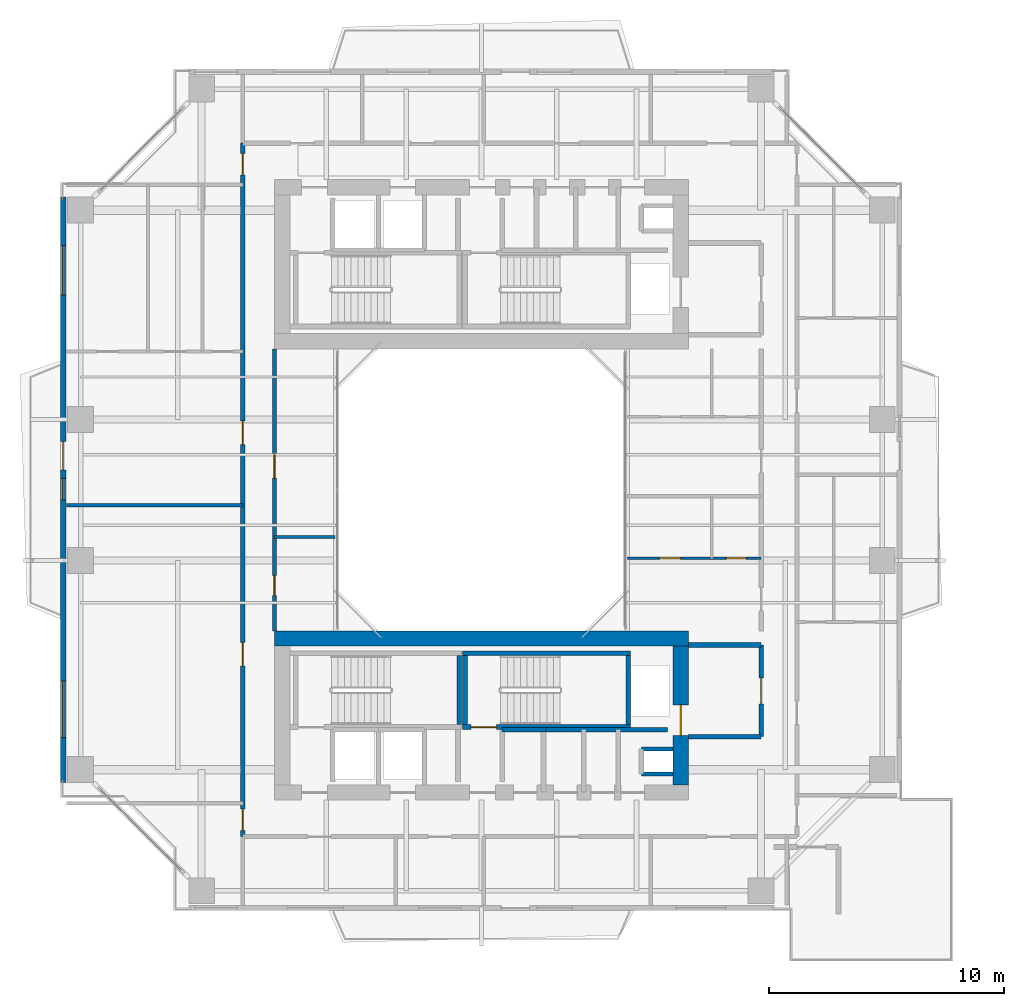
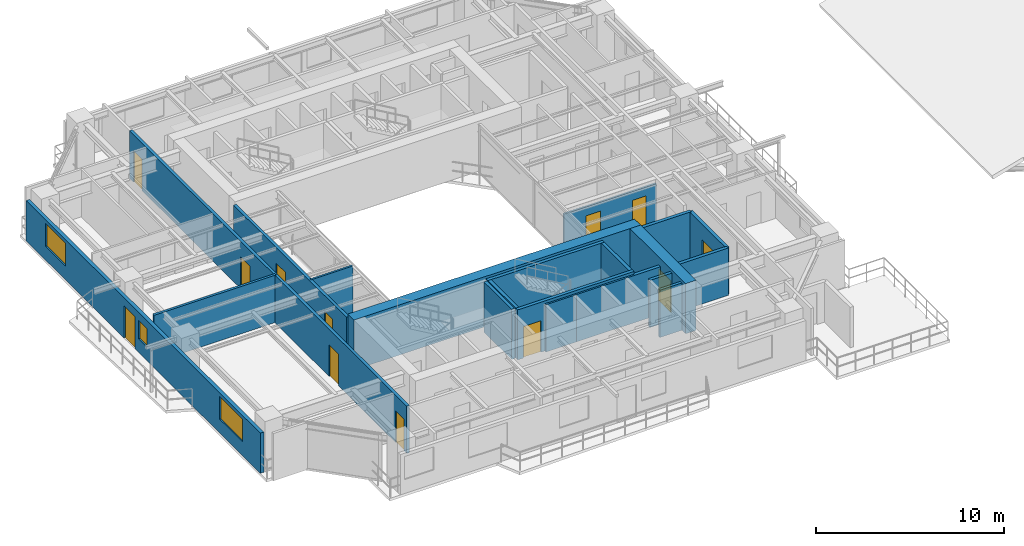
# One storey, part 22 of 28: 20 walls, 12 doors, 3 windows, 15 openings.
"""IFC4 building model written with IfcOpenShell, lengths in metres."""

from ifc_helpers import new_model, si_unit, direction, frame, frame_2d, origin, place, context, subcontext, project, spatial, rectangle, extrude, source, transform, mapped, material, layer, layer_set, type_object, element, fill, save


model = new_model("IFC4")

# Units and contexts
model_context = context("Model", 3, precision=1e-05, world=origin(), true_north=direction((0.0, 1.0)))
body_context = subcontext(model_context, "Body", "Model", "MODEL_VIEW")
ifc_project = project(units=[si_unit("LENGTHUNIT", "METRE"), si_unit("AREAUNIT", "SQUARE_METRE"), si_unit("VOLUMEUNIT", "CUBIC_METRE"), si_unit("PLANEANGLEUNIT", "RADIAN"), si_unit("MASSUNIT", "GRAM", prefix="KILO"), si_unit("THERMODYNAMICTEMPERATUREUNIT", "KELVIN"), si_unit("POWERUNIT", "WATT")], contexts=[model_context])

# Site, building, storey
site_placement = place(None, origin())
site = spatial("IfcSite", under=ifc_project, at=site_placement, CompositionType="ELEMENT")
building_placement = place(site_placement, origin())
building = spatial("IfcBuilding", under=site, at=building_placement, Name="Qiaomeng Ring Towers", CompositionType="ELEMENT")
storey_placement = place(building_placement, frame((0.0, 0.0, 113.25)))
storey = spatial("IfcBuildingStorey", under=building, at=storey_placement, Name="L32", CompositionType="ELEMENT", Elevation=113.25)

# Wall, openings, windows, door
ifc_material_1 = material(Name="Precast concrete C40", Category="concrete")
ifc_layer_1 = layer(ifc_material_1, 0.219970703125, Name="Precast concrete C40")
ifc_layer_set_1 = layer_set([ifc_layer_1], Name="Precast concrete C40")
wall_type_1 = type_object("IfcWallType", Name="ARC-WL-EW2", PredefinedType="STANDARD", material=ifc_layer_set_1)
wall_1_placement = place(storey_placement, frame((1.2099609375, 10.550048828125, 0.0), z_axis=(0.0, 0.0, 1.0), x_axis=(0.0, 1.0, 0.0)))
wall_1 = element("IfcWall", 1, at=wall_1_placement, inside=storey, type_object=wall_type_1, Name="L32 Tower 1 W Exterior Wall", PredefinedType="STANDARD", context=body_context, shape_type="SweptSolid", body=[
    extrude(rectangle(XDim=24.89990234375, YDim=0.219970703125, at=frame_2d((12.449951171875, 0.0))), origin(), (0.0, 0.0, 1.0), 2.610107421875),
])
opening_1_placement = place(wall_1_placement, frame((13.300048828125, 0.0, 0.0)))
opening_1 = element("IfcOpeningElement", 2, at=opening_1_placement, cuts=wall_1, Name="Opening BD1", PredefinedType="OPENING", context=body_context, shape_type="SweptSolid", body=[
    extrude(rectangle(XDim=1.199951171875, YDim=2.10009765625, at=frame_2d((0.60009765625, 1.050048828125))), frame((0.0, 0.119873046875, 0.0), z_axis=(0.0, -1.0, 0.0), x_axis=(1.0, 0.0, 0.0)), (0.0, 0.0, 1.0), 0.239990234375),
])
opening_2_placement = place(wall_1_placement, frame((1.912109375, 0.0, 0.89990234375)))
opening_2 = element("IfcOpeningElement", 3, at=opening_2_placement, cuts=wall_1, Name="Opening WN6", PredefinedType="OPENING", context=body_context, shape_type="SweptSolid", body=[
    extrude(rectangle(XDim=2.39990234375, YDim=1.47998046875, at=frame_2d((1.199951171875, 0.739990234375))), frame((0.0, 0.119873046875, 0.0), z_axis=(0.0, -1.0, 0.0), x_axis=(1.0, 0.0, 0.0)), (0.0, 0.0, 1.0), 0.239990234375),
])
opening_3_placement = place(wall_1_placement, frame((20.737060546875, 0.0, 0.89990234375)))
opening_3 = element("IfcOpeningElement", 4, at=opening_3_placement, cuts=wall_1, Name="Opening WN4", PredefinedType="OPENING", context=body_context, shape_type="SweptSolid", body=[
    extrude(rectangle(XDim=2.10009765625, YDim=1.47998046875, at=frame_2d((1.050048828125, 0.739990234375))), frame((0.0, 0.119873046875, 0.0), z_axis=(0.0, -1.0, 0.0), x_axis=(1.0, 0.0, 0.0)), (0.0, 0.0, 1.0), 0.239990234375),
])
opening_4_placement = place(wall_1_placement, frame((12.02490234375, 0.0, 0.89990234375)))
opening_4 = element("IfcOpeningElement", 5, at=opening_4_placement, cuts=wall_1, Name="Opening WN5", PredefinedType="OPENING", context=body_context, shape_type="SweptSolid", body=[
    extrude(rectangle(XDim=0.89990234375, YDim=1.199951171875, at=frame_2d((0.449951171875, 0.60009765625))), frame((0.0, 0.119873046875, 0.0), z_axis=(0.0, -1.0, 0.0), x_axis=(1.0, 0.0, 0.0)), (0.0, 0.0, 1.0), 0.239990234375),
])
ifc_material_2 = material(Name="Low-E dark-grey laminated double glazing", Category="glass")
window_type_1 = type_object("IfcWindowType", Name="ARC-WN-4", PartitioningType="TRIPLE_PANEL_VERTICAL", PredefinedType="WINDOW", material=ifc_material_2)
shared_shape_1 = source(origin(), body_context, "Body", "SweptSolid", [
    extrude(rectangle(XDim=2.10009765625, YDim=1.47998046875, at=frame_2d((1.050048828125, 0.739990234375))), frame((0.0, 0.030029296875, 0.0), z_axis=(0.0, -1.0, 0.0), x_axis=(1.0, 0.0, 0.0)), (0.0, 0.0, 1.0), 0.06005859375),
])
window_1_placement = place(opening_3_placement, origin())
window_1 = element("IfcWindow", 6, at=window_1_placement, inside=storey, type_object=window_type_1, Name="L32 Exterior Window WN4", OverallHeight=1.47998046875, OverallWidth=2.10009765625, PartitioningType="TRIPLE_PANEL_VERTICAL", PredefinedType="WINDOW", context=body_context, shape_type="MappedRepresentation", body=[
    mapped(shared_shape_1, transform((0.0, 0.0, 0.0), x_axis=(1.0, 0.0, 0.0), y_axis=(0.0, 1.0, 0.0), z_axis=(0.0, 0.0, 1.0), scale=1.0)),
])
fill(opening_3, window_1)
window_type_2 = type_object("IfcWindowType", Name="ARC-WN-6", PartitioningType="TRIPLE_PANEL_VERTICAL", PredefinedType="WINDOW", material=ifc_material_2)
shared_shape_2 = source(origin(), body_context, "Body", "SweptSolid", [
    extrude(rectangle(XDim=2.39990234375, YDim=1.47998046875, at=frame_2d((1.199951171875, 0.739990234375))), frame((0.0, 0.030029296875, 0.0), z_axis=(0.0, -1.0, 0.0), x_axis=(1.0, 0.0, 0.0)), (0.0, 0.0, 1.0), 0.06005859375),
])
window_2_placement = place(opening_2_placement, origin())
window_2 = element("IfcWindow", 7, at=window_2_placement, inside=storey, type_object=window_type_2, Name="L32 Exterior Window WN6", OverallHeight=1.47998046875, OverallWidth=2.39990234375, PartitioningType="TRIPLE_PANEL_VERTICAL", PredefinedType="WINDOW", context=body_context, shape_type="MappedRepresentation", body=[
    mapped(shared_shape_2, transform((0.0, 0.0, 0.0), x_axis=(1.0, 0.0, 0.0), y_axis=(0.0, 1.0, 0.0), z_axis=(0.0, 0.0, 1.0), scale=1.0)),
])
fill(opening_2, window_2)
door_type_1 = type_object("IfcDoorType", Name="ARC-DR-BD1", OperationType="NOTDEFINED", PredefinedType="DOOR", material=ifc_material_2)
shared_shape_3 = source(origin(), body_context, "Body", "SweptSolid", [
    extrude(rectangle(XDim=1.199951171875, YDim=2.10009765625, at=frame_2d((0.60009765625, 1.050048828125))), frame((0.0, 0.02490234375, 0.0), z_axis=(0.0, -1.0, 0.0), x_axis=(1.0, 0.0, 0.0)), (0.0, 0.0, 1.0), 0.050048828125),
])
door_1_placement = place(opening_1_placement, frame((1.199951171875, 0.0, 0.0), z_axis=(0.0, 0.0, 1.0), x_axis=(-1.0, 0.0, 0.0)))
door_1 = element("IfcDoor", 8, at=door_1_placement, inside=storey, type_object=door_type_1, Name="L32 W Balcony Glazed Door", OperationType="SINGLE_SWING_LEFT", OverallHeight=2.10009765625, OverallWidth=1.199951171875, PredefinedType="DOOR", context=body_context, shape_type="MappedRepresentation", body=[
    mapped(shared_shape_3, transform((0.0, 0.0, 0.0), x_axis=(1.0, 0.0, 0.0), y_axis=(0.0, 1.0, 0.0), z_axis=(0.0, 0.0, 1.0), scale=1.0)),
])
fill(opening_1, door_1)
window_type_3 = type_object("IfcWindowType", Name="ARC-WN-5", PartitioningType="SINGLE_PANEL", PredefinedType="WINDOW", material=ifc_material_2)
shared_shape_4 = source(origin(), body_context, "Body", "SweptSolid", [
    extrude(rectangle(XDim=0.89990234375, YDim=1.199951171875, at=frame_2d((0.449951171875, 0.60009765625))), frame((0.0, 0.030029296875, 0.0), z_axis=(0.0, -1.0, 0.0), x_axis=(1.0, 0.0, 0.0)), (0.0, 0.0, 1.0), 0.06005859375),
])
window_3_placement = place(opening_4_placement, origin())
window_3 = element("IfcWindow", 9, at=window_3_placement, inside=storey, type_object=window_type_3, Name="L32 Exterior Window WN5", OverallHeight=1.199951171875, OverallWidth=0.89990234375, PartitioningType="SINGLE_PANEL", PredefinedType="WINDOW", context=body_context, shape_type="MappedRepresentation", body=[
    mapped(shared_shape_4, transform((0.0, 0.0, 0.0), x_axis=(1.0, 0.0, 0.0), y_axis=(0.0, 1.0, 0.0), z_axis=(0.0, 0.0, 1.0), scale=1.0)),
])
fill(opening_4, window_3)

# Walls
ifc_material_3 = material(Name="Autoclaved aerated concrete block", Category="concrete")
ifc_layer_2 = layer(ifc_material_3, 0.199951171875, Name="Autoclaved aerated concrete block")
ifc_layer_set_2 = layer_set([ifc_layer_2], Name="Autoclaved aerated concrete block")
wall_type_2 = type_object("IfcWallType", Name="ARC-WL-PW1", PredefinedType="PARTITIONING", material=ifc_layer_set_2)
for number, where, z_axis, x_axis, name in (
    (10, (27.800048828125, 16.39990234375, 0.0), (0.0, 0.0, 1.0), (1.0, 0.0, 0.0), "L32 Interior Wall PW1"),
    (11, (27.800048828125, 12.5, 0.0), (0.0, 0.0, 1.0), (1.0, 0.0, 0.0), "L32 Interior Wall PW1"),
):
    element("IfcWall", number, at=place(storey_placement, frame(where, z_axis=z_axis, x_axis=x_axis)), inside=storey, type_object=wall_type_2, Name=name, PredefinedType="PARTITIONING", context=body_context, shape_type="SweptSolid", body=[
        extrude(rectangle(XDim=3.099853515625, YDim=0.199951171875, at=frame_2d((1.5498046875, 0.0))), origin(), (0.0, 0.0, 1.0), 3.070068359375),
    ])

# Wall, opening, door
wall_2_placement = place(storey_placement, frame((30.89990234375, 12.5, 0.0), z_axis=(0.0, 0.0, 1.0), x_axis=(0.0, 1.0, 0.0)))
wall_2 = element("IfcWall", 12, at=wall_2_placement, inside=storey, type_object=wall_type_2, Name="L32 Interior Wall PW1", PredefinedType="PARTITIONING", context=body_context, shape_type="SweptSolid", body=[
    extrude(rectangle(XDim=3.89990234375, YDim=0.199951171875, at=frame_2d((1.949951171875, 0.0))), origin(), (0.0, 0.0, 1.0), 3.070068359375),
])
opening_5_placement = place(wall_2_placement, frame((1.39990234375, 0.0, 0.0)))
opening_5 = element("IfcOpeningElement", 13, at=opening_5_placement, cuts=wall_2, Name="Opening FD3", PredefinedType="OPENING", context=body_context, shape_type="SweptSolid", body=[
    extrude(rectangle(XDim=1.10009765625, YDim=2.050048828125, at=frame_2d((0.550048828125, 1.02490234375))), frame((0.0, 0.10986328125, 0.0), z_axis=(0.0, -1.0, 0.0), x_axis=(1.0, 0.0, 0.0)), (0.0, 0.0, 1.0), 0.219970703125),
])
ifc_material_4 = material(Name="Galvanised steel", Category="steel")
door_type_2 = type_object("IfcDoorType", Name="ARC-DR-FD3", OperationType="NOTDEFINED", PredefinedType="DOOR", material=ifc_material_4)
shared_shape_5 = source(origin(), body_context, "Body", "SweptSolid", [
    extrude(rectangle(XDim=1.10009765625, YDim=2.050048828125, at=frame_2d((0.550048828125, 1.02490234375))), frame((0.0, 0.02490234375, 0.0), z_axis=(0.0, -1.0, 0.0), x_axis=(1.0, 0.0, 0.0)), (0.0, 0.0, 1.0), 0.050048828125),
])
door_2_placement = place(opening_5_placement, origin())
door_2 = element("IfcDoor", 14, at=door_2_placement, inside=storey, type_object=door_type_2, Name="L32 South FF Lobby Door", OperationType="SINGLE_SWING_LEFT", OverallHeight=2.050048828125, OverallWidth=1.10009765625, PredefinedType="DOOR", context=body_context, shape_type="MappedRepresentation", body=[
    mapped(shared_shape_5, transform((0.0, 0.0, 0.0), x_axis=(1.0, 0.0, 0.0), y_axis=(0.0, 1.0, 0.0), z_axis=(0.0, 0.0, 1.0), scale=1.0)),
])
fill(opening_5, door_2)

# Walls
wall_3_placement = place(storey_placement, frame((19.8798828125, 12.800048828125, 0.0), z_axis=(0.0, 0.0, 1.0), x_axis=(1.0, 0.0, 0.0)))
element("IfcWall", 15, at=wall_3_placement, inside=storey, type_object=wall_type_2, Name="L32 Interior Wall PW1", PredefinedType="PARTITIONING", context=body_context, shape_type="SweptSolid", body=[
    extrude(rectangle(XDim=1.8701171875, YDim=0.199951171875, at=frame_2d((0.93505859375, 0.0))), origin(), (0.0, 0.0, 1.0), 3.070068359375),
])
wall_4_placement = place(storey_placement, frame((21.75, 12.800048828125, 0.0), z_axis=(0.0, 0.0, 1.0), x_axis=(1.0, 0.0, 0.0)))
element("IfcWall", 16, at=wall_4_placement, inside=storey, type_object=wall_type_2, Name="L32 Interior Wall PW1", PredefinedType="PARTITIONING", context=body_context, shape_type="SweptSolid", body=[
    extrude(rectangle(XDim=5.169921875, YDim=0.199951171875, at=frame_2d((2.5849609375, 0.0))), origin(), (0.0, 0.0, 1.0), 3.070068359375),
])

# Wall, openings, doors
ifc_layer_3 = layer(ifc_material_3, 0.179931640625, Name="Autoclaved aerated concrete block")
ifc_layer_set_3 = layer_set([ifc_layer_3], Name="Autoclaved aerated concrete block")
wall_type_3 = type_object("IfcWallType", Name="ARC-WL-PW2", PredefinedType="PARTITIONING", material=ifc_layer_set_3)
wall_5_placement = place(storey_placement, frame((8.85009765625, 8.25, 0.0), z_axis=(0.0, 0.0, 1.0), x_axis=(0.0, 1.0, 0.0)))
wall_5 = element("IfcWall", 17, at=wall_5_placement, inside=storey, type_object=wall_type_3, Name="L32 Interior Wall PW2", PredefinedType="PARTITIONING", context=body_context, shape_type="SweptSolid", body=[
    extrude(rectangle(XDim=29.5, YDim=0.179931640625, at=frame_2d((14.75, 0.0))), origin(), (0.0, 0.0, 1.0), 3.070068359375),
])
opening_6_placement = place(wall_5_placement, frame((28.155029296875, 0.0, 0.0)))
opening_6 = element("IfcOpeningElement", 18, at=opening_6_placement, cuts=wall_5, Name="Opening ID1", PredefinedType="OPENING", context=body_context, shape_type="SweptSolid", body=[
    extrude(rectangle(XDim=0.89990234375, YDim=2.050048828125, at=frame_2d((0.449951171875, 1.02490234375))), frame((0.0, 0.099853515625, 0.0), z_axis=(0.0, -1.0, 0.0), x_axis=(1.0, 0.0, 0.0)), (0.0, 0.0, 1.0), 0.199951171875),
])
opening_7_placement = place(wall_5_placement, frame((0.27001953125, 0.0, 0.0)))
opening_7 = element("IfcOpeningElement", 19, at=opening_7_placement, cuts=wall_5, Name="Opening ID1", PredefinedType="OPENING", context=body_context, shape_type="SweptSolid", body=[
    extrude(rectangle(XDim=0.89990234375, YDim=2.050048828125, at=frame_2d((0.449951171875, 1.02490234375))), frame((0.0, 0.099853515625, 0.0), z_axis=(0.0, -1.0, 0.0), x_axis=(1.0, 0.0, 0.0)), (0.0, 0.0, 1.0), 0.199951171875),
])
opening_8_placement = place(wall_5_placement, frame((7.2548828125, 0.0, 0.0)))
opening_8 = element("IfcOpeningElement", 20, at=opening_8_placement, cuts=wall_5, Name="Opening FD4", PredefinedType="OPENING", context=body_context, shape_type="SweptSolid", body=[
    extrude(rectangle(XDim=1.0, YDim=2.050048828125, at=frame_2d((0.5, 1.02490234375))), frame((0.0, 0.099853515625, 0.0), z_axis=(0.0, -1.0, 0.0), x_axis=(1.0, 0.0, 0.0)), (0.0, 0.0, 1.0), 0.199951171875),
])
opening_9_placement = place(wall_5_placement, frame((16.675048828125, 0.0, 0.0)))
opening_9 = element("IfcOpeningElement", 21, at=opening_9_placement, cuts=wall_5, Name="Opening FD4", PredefinedType="OPENING", context=body_context, shape_type="SweptSolid", body=[
    extrude(rectangle(XDim=1.0, YDim=2.050048828125, at=frame_2d((0.5, 1.02490234375))), frame((0.0, 0.099853515625, 0.0), z_axis=(0.0, -1.0, 0.0), x_axis=(1.0, 0.0, 0.0)), (0.0, 0.0, 1.0), 0.199951171875),
])
ifc_material_5 = material(Name="Engineered fire-rated oak timber", Category="wood")
door_type_3 = type_object("IfcDoorType", Name="ARC-DR-FD4", OperationType="NOTDEFINED", PredefinedType="DOOR", material=ifc_material_5)
shared_shape_6 = source(origin(), body_context, "Body", "SweptSolid", [
    extrude(rectangle(XDim=1.0, YDim=2.050048828125, at=frame_2d((0.5, 1.02490234375))), frame((0.0, 0.02490234375, 0.0), z_axis=(0.0, -1.0, 0.0), x_axis=(1.0, 0.0, 0.0)), (0.0, 0.0, 1.0), 0.050048828125),
])
door_3_placement = place(opening_8_placement, origin())
door_3 = element("IfcDoor", 22, at=door_3_placement, inside=storey, type_object=door_type_3, Name="L32 Door FD4", OperationType="SINGLE_SWING_RIGHT", OverallHeight=2.050048828125, OverallWidth=1.0, PredefinedType="DOOR", context=body_context, shape_type="MappedRepresentation", body=[
    mapped(shared_shape_6, transform((0.0, 0.0, 0.0), x_axis=(1.0, 0.0, 0.0), y_axis=(0.0, 1.0, 0.0), z_axis=(0.0, 0.0, 1.0), scale=1.0)),
])
fill(opening_8, door_3)
door_4_placement = place(opening_9_placement, origin())
door_4 = element("IfcDoor", 23, at=door_4_placement, inside=storey, type_object=door_type_3, Name="L32 Door FD4", OperationType="SINGLE_SWING_RIGHT", OverallHeight=2.050048828125, OverallWidth=1.0, PredefinedType="DOOR", context=body_context, shape_type="MappedRepresentation", body=[
    mapped(shared_shape_6, transform((0.0, 0.0, 0.0), x_axis=(1.0, 0.0, 0.0), y_axis=(0.0, 1.0, 0.0), z_axis=(0.0, 0.0, 1.0), scale=1.0)),
])
fill(opening_9, door_4)
ifc_material_6 = material(Name="Engineered oak timber", Category="wood")
door_type_4 = type_object("IfcDoorType", Name="ARC-DR-ID1", OperationType="NOTDEFINED", PredefinedType="DOOR", material=ifc_material_6)
shared_shape_7 = source(origin(), body_context, "Body", "SweptSolid", [
    extrude(rectangle(XDim=0.89990234375, YDim=2.050048828125, at=frame_2d((0.449951171875, 1.02490234375))), frame((0.0, 0.02490234375, 0.0), z_axis=(0.0, -1.0, 0.0), x_axis=(1.0, 0.0, 0.0)), (0.0, 0.0, 1.0), 0.050048828125),
])
door_5_placement = place(opening_6_placement, origin())
door_5 = element("IfcDoor", 24, at=door_5_placement, inside=storey, type_object=door_type_4, Name="L32 Door ID1", OperationType="SINGLE_SWING_RIGHT", OverallHeight=2.050048828125, OverallWidth=0.89990234375, PredefinedType="DOOR", context=body_context, shape_type="MappedRepresentation", body=[
    mapped(shared_shape_7, transform((0.0, 0.0, 0.0), x_axis=(1.0, 0.0, 0.0), y_axis=(0.0, 1.0, 0.0), z_axis=(0.0, 0.0, 1.0), scale=1.0)),
])
fill(opening_6, door_5)
door_6_placement = place(opening_7_placement, origin())
door_6 = element("IfcDoor", 25, at=door_6_placement, inside=storey, type_object=door_type_4, Name="L32 Door ID1", OperationType="SINGLE_SWING_LEFT", OverallHeight=2.050048828125, OverallWidth=0.89990234375, PredefinedType="DOOR", context=body_context, shape_type="MappedRepresentation", body=[
    mapped(shared_shape_7, transform((0.0, 0.0, 0.0), x_axis=(1.0, 0.0, 0.0), y_axis=(0.0, 1.0, 0.0), z_axis=(0.0, 0.0, 1.0), scale=1.0)),
])
fill(opening_7, door_6)

wall_6_placement = place(storey_placement, frame((10.199951171875, 17.0, 0.0), z_axis=(0.0, 0.0, 1.0), x_axis=(0.0, 1.0, 0.0)))
wall_6 = element("IfcWall", 26, at=wall_6_placement, inside=storey, type_object=wall_type_3, Name="L32 Interior Wall PW2", PredefinedType="PARTITIONING", context=body_context, shape_type="SweptSolid", body=[
    extrude(rectangle(XDim=12.0, YDim=0.179931640625, at=frame_2d((6.0, 0.0))), origin(), (0.0, 0.0, 1.0), 3.070068359375),
])
opening_10_placement = place(wall_6_placement, frame((1.5, 0.0, 0.0)))
opening_10 = element("IfcOpeningElement", 27, at=opening_10_placement, cuts=wall_6, Name="Opening ID2", PredefinedType="OPENING", context=body_context, shape_type="SweptSolid", body=[
    extrude(rectangle(XDim=0.85009765625, YDim=2.050048828125, at=frame_2d((0.425048828125, 1.02490234375))), frame((0.0, 0.099853515625, 0.0), z_axis=(0.0, -1.0, 0.0), x_axis=(1.0, 0.0, 0.0)), (0.0, 0.0, 1.0), 0.199951171875),
])
opening_11_placement = place(wall_6_placement, frame((6.5, 0.0, 0.0)))
opening_11 = element("IfcOpeningElement", 28, at=opening_11_placement, cuts=wall_6, Name="Opening FD4", PredefinedType="OPENING", context=body_context, shape_type="SweptSolid", body=[
    extrude(rectangle(XDim=1.0, YDim=2.050048828125, at=frame_2d((0.5, 1.02490234375))), frame((0.0, 0.099853515625, 0.0), z_axis=(0.0, -1.0, 0.0), x_axis=(1.0, 0.0, 0.0)), (0.0, 0.0, 1.0), 0.199951171875),
])
door_7_placement = place(opening_11_placement, origin())
door_7 = element("IfcDoor", 29, at=door_7_placement, inside=storey, type_object=door_type_3, Name="L32 Door FD4", OperationType="SINGLE_SWING_RIGHT", OverallHeight=2.050048828125, OverallWidth=1.0, PredefinedType="DOOR", context=body_context, shape_type="MappedRepresentation", body=[
    mapped(shared_shape_6, transform((0.0, 0.0, 0.0), x_axis=(1.0, 0.0, 0.0), y_axis=(0.0, 1.0, 0.0), z_axis=(0.0, 0.0, 1.0), scale=1.0)),
])
fill(opening_11, door_7)
ifc_material_7 = material(Name="Moisture-resistant engineered timber", Category="wood")
door_type_5 = type_object("IfcDoorType", Name="ARC-DR-ID2", OperationType="NOTDEFINED", PredefinedType="DOOR", material=ifc_material_7)
shared_shape_8 = source(origin(), body_context, "Body", "SweptSolid", [
    extrude(rectangle(XDim=0.85009765625, YDim=2.050048828125, at=frame_2d((0.425048828125, 1.02490234375))), frame((0.0, 0.02490234375, 0.0), z_axis=(0.0, -1.0, 0.0), x_axis=(1.0, 0.0, 0.0)), (0.0, 0.0, 1.0), 0.050048828125),
])
door_8_placement = place(opening_10_placement, origin())
door_8 = element("IfcDoor", 30, at=door_8_placement, inside=storey, type_object=door_type_5, Name="L32 Door ID2", OperationType="SINGLE_SWING_LEFT", OverallHeight=2.050048828125, OverallWidth=0.85009765625, PredefinedType="DOOR", context=body_context, shape_type="MappedRepresentation", body=[
    mapped(shared_shape_8, transform((0.0, 0.0, 0.0), x_axis=(1.0, 0.0, 0.0), y_axis=(0.0, 1.0, 0.0), z_axis=(0.0, 0.0, 1.0), scale=1.0)),
])
fill(opening_10, door_8)

# Walls
ifc_material_8 = material(Name="Gypsum fireboard steel-stud partition", Category="steel")
ifc_layer_4 = layer(ifc_material_8, 0.14990234375, Name="Gypsum fireboard steel-stud partition")
ifc_layer_set_4 = layer_set([ifc_layer_4], Name="Gypsum fireboard steel-stud partition")
wall_type_4 = type_object("IfcWallType", Name="ARC-WL-PW3", PredefinedType="PARTITIONING", material=ifc_layer_set_4)
wall_7_placement = place(storey_placement, frame((1.35009765625, 22.340087890625, 0.0), z_axis=(0.0, 0.0, 1.0), x_axis=(1.0, 0.0, 0.0)))
element("IfcWall", 31, at=wall_7_placement, inside=storey, type_object=wall_type_4, Name="L32 Interior Wall PW3", PredefinedType="PARTITIONING", context=body_context, shape_type="SweptSolid", body=[
    extrude(rectangle(XDim=7.5, YDim=0.14990234375, at=frame_2d((3.75, 0.0))), origin(), (0.0, 0.0, 1.0), 3.070068359375),
])
ifc_material_9 = material(Name="Moisture-resistant gypsum steel-stud partition", Category="steel")
ifc_layer_5 = layer(ifc_material_9, 0.1201171875, Name="Moisture-resistant gypsum steel-stud partition")
ifc_layer_set_5 = layer_set([ifc_layer_5], Name="Moisture-resistant gypsum steel-stud partition")
wall_type_5 = type_object("IfcWallType", Name="ARC-WL-PW4", PredefinedType="PLUMBINGWALL", material=ifc_layer_set_5)
wall_8_placement = place(storey_placement, frame((10.199951171875, 21.0, 0.0), z_axis=(0.0, 0.0, 1.0), x_axis=(1.0, 0.0, 0.0)))
element("IfcWall", 32, at=wall_8_placement, inside=storey, type_object=wall_type_5, Name="L32 Interior Wall PW4", PredefinedType="PLUMBINGWALL", context=body_context, shape_type="SweptSolid", body=[
    extrude(rectangle(XDim=2.580078125, YDim=0.1201171875, at=frame_2d((1.2900390625, 0.0))), origin(), (0.0, 0.0, 1.0), 3.070068359375),
])

# Wall, openings, doors
wall_9_placement = place(storey_placement, frame((25.219970703125, 20.090087890625, 0.0), z_axis=(0.0, 0.0, 1.0), x_axis=(1.0, 0.0, 0.0)))
wall_9 = element("IfcWall", 33, at=wall_9_placement, inside=storey, type_object=wall_type_5, Name="L32 Interior Wall PW4", PredefinedType="PLUMBINGWALL", context=body_context, shape_type="SweptSolid", body=[
    extrude(rectangle(XDim=5.679931640625, YDim=0.1201171875, at=frame_2d((2.83984375, 0.0))), origin(), (0.0, 0.0, 1.0), 2.625),
])
opening_12_placement = place(wall_9_placement, frame((1.35009765625, 0.0, 0.0)))
opening_12 = element("IfcOpeningElement", 34, at=opening_12_placement, cuts=wall_9, Name="Opening ID1", PredefinedType="OPENING", context=body_context, shape_type="SweptSolid", body=[
    extrude(rectangle(XDim=0.89990234375, YDim=2.050048828125, at=frame_2d((0.449951171875, 1.02490234375))), frame((0.0, 0.070068359375, 0.0), z_axis=(0.0, -1.0, 0.0), x_axis=(1.0, 0.0, 0.0)), (0.0, 0.0, 1.0), 0.14013671875),
])
opening_13_placement = place(wall_9_placement, frame((4.195068359375, 0.0, 0.0)))
opening_13 = element("IfcOpeningElement", 35, at=opening_13_placement, cuts=wall_9, Name="Opening ID2", PredefinedType="OPENING", context=body_context, shape_type="SweptSolid", body=[
    extrude(rectangle(XDim=0.85009765625, YDim=2.050048828125, at=frame_2d((0.425048828125, 1.02490234375))), frame((0.0, 0.070068359375, 0.0), z_axis=(0.0, -1.0, 0.0), x_axis=(1.0, 0.0, 0.0)), (0.0, 0.0, 1.0), 0.14013671875),
])
door_9_placement = place(opening_13_placement, origin())
door_9 = element("IfcDoor", 36, at=door_9_placement, inside=storey, type_object=door_type_5, Name="L32 Door ID2", OperationType="SINGLE_SWING_RIGHT", OverallHeight=2.050048828125, OverallWidth=0.85009765625, PredefinedType="DOOR", context=body_context, shape_type="MappedRepresentation", body=[
    mapped(shared_shape_8, transform((0.0, 0.0, 0.0), x_axis=(1.0, 0.0, 0.0), y_axis=(0.0, 1.0, 0.0), z_axis=(0.0, 0.0, 1.0), scale=1.0)),
])
fill(opening_13, door_9)
door_10_placement = place(opening_12_placement, origin())
door_10 = element("IfcDoor", 37, at=door_10_placement, inside=storey, type_object=door_type_4, Name="L32 Door ID1", OperationType="SINGLE_SWING_LEFT", OverallHeight=2.050048828125, OverallWidth=0.89990234375, PredefinedType="DOOR", context=body_context, shape_type="MappedRepresentation", body=[
    mapped(shared_shape_7, transform((0.0, 0.0, 0.0), x_axis=(1.0, 0.0, 0.0), y_axis=(0.0, 1.0, 0.0), z_axis=(0.0, 0.0, 1.0), scale=1.0)),
])
fill(opening_12, door_10)

# Walls
ifc_material_10 = material(Name="Concrete C40", Category="concrete")
ifc_layer_6 = layer(ifc_material_10, 0.199951171875, Name="Concrete C40")
ifc_layer_set_6 = layer_set([ifc_layer_6], Name="Concrete C40")
wall_type_6 = type_object("IfcWallType", Name="STR-WL-STSHAFT", PredefinedType="SHEAR", material=ifc_layer_set_6)
for number, where, z_axis, x_axis, name in (
    (38, (25.800048828125, 11.97998046875, 0.0), (0.0, 0.0, 1.0), (1.0, 0.0, 0.0), "L32 Riser RSR1 North Shaft Wall S"),
    (39, (25.800048828125, 10.919921875, 0.0), (0.0, 0.0, 1.0), (1.0, 0.0, 0.0), "L32 Riser RSR1 South Shaft Wall S"),
):
    element("IfcWall", number, at=place(storey_placement, frame(where, z_axis=z_axis, x_axis=x_axis)), inside=storey, type_object=wall_type_6, Name=name, PredefinedType="SHEAR", context=body_context, shape_type="SweptSolid", body=[
        extrude(rectangle(XDim=1.349853515625, YDim=0.179931640625, at=frame_2d((0.6748046875, 0.0))), origin(), (0.0, 0.0, 1.0), 3.070068359375),
    ])
wall_10_placement = place(storey_placement, frame((18.050048828125, 13.010009765625, 0.0), z_axis=(0.0, 0.0, 1.0), x_axis=(0.0, 1.0, 0.0)))
element("IfcWall", 40, at=wall_10_placement, inside=storey, type_object=wall_type_6, Name="L32 Stair ST3 East Shaft Shear Wall", PredefinedType="SHEAR", context=body_context, shape_type="SweptSolid", body=[
    extrude(rectangle(XDim=2.93994140625, YDim=0.199951171875, at=frame_2d((1.469970703125, 0.0))), origin(), (0.0, 0.0, 1.0), 3.25),
])

# Wall, opening, door
wall_11_placement = place(storey_placement, frame((18.199951171875, 12.909912109375, 0.0), z_axis=(0.0, 0.0, 1.0), x_axis=(1.0, 0.0, 0.0)))
wall_11 = element("IfcWall", 41, at=wall_11_placement, inside=storey, type_object=wall_type_6, Name="L32 Stair ST4 South Shaft Shear Wall", PredefinedType="SHEAR", context=body_context, shape_type="SweptSolid", body=[
    extrude(rectangle(XDim=7.150146484375, YDim=0.199951171875, at=frame_2d((3.5751953125, 0.0))), origin(), (0.0, 0.0, 1.0), 3.25),
])
opening_14_placement = place(wall_11_placement, frame((0.35009765625, 0.0, 0.0)))
opening_14 = element("IfcOpeningElement", 42, at=opening_14_placement, cuts=wall_11, Name="Opening FD3", PredefinedType="OPENING", context=body_context, shape_type="SweptSolid", body=[
    extrude(rectangle(XDim=1.10009765625, YDim=2.050048828125, at=frame_2d((0.550048828125, 1.02490234375))), frame((0.0, 0.10986328125, 0.0), z_axis=(0.0, -1.0, 0.0), x_axis=(1.0, 0.0, 0.0)), (0.0, 0.0, 1.0), 0.219970703125),
])
door_11_placement = place(opening_14_placement, frame((1.10009765625, 0.0, 0.0), z_axis=(0.0, 0.0, 1.0), x_axis=(-1.0, 0.0, 0.0)))
door_11 = element("IfcDoor", 43, at=door_11_placement, inside=storey, type_object=door_type_2, Name="L32 Stair ST4 Exit Door", OperationType="SINGLE_SWING_LEFT", OverallHeight=2.050048828125, OverallWidth=1.10009765625, PredefinedType="DOOR", context=body_context, shape_type="MappedRepresentation", body=[
    mapped(shared_shape_5, transform((0.0, 0.0, 0.0), x_axis=(1.0, 0.0, 0.0), y_axis=(0.0, 1.0, 0.0), z_axis=(0.0, 0.0, 1.0), scale=1.0)),
])
fill(opening_14, door_11)

# Walls
wall_12_placement = place(storey_placement, frame((18.199951171875, 16.050048828125, 0.0), z_axis=(0.0, 0.0, 1.0), x_axis=(1.0, 0.0, 0.0)))
element("IfcWall", 44, at=wall_12_placement, inside=storey, type_object=wall_type_6, Name="L32 Stair ST4 North Shaft Shear Wall", PredefinedType="SHEAR", context=body_context, shape_type="SweptSolid", body=[
    extrude(rectangle(XDim=7.150146484375, YDim=0.199951171875, at=frame_2d((3.5751953125, 0.0))), origin(), (0.0, 0.0, 1.0), 3.25),
])
for number, where, z_axis, x_axis, name in (
    (45, (18.300048828125, 13.010009765625, 0.0), (0.0, 0.0, 1.0), (0.0, 1.0, 0.0), "L32 Stair ST4 West Shaft Shear Wall"),
    (46, (25.25, 13.010009765625, 0.0), (0.0, 0.0, 1.0), (0.0, 1.0, 0.0), "L32 Stair ST4 East Shaft Shear Wall"),
):
    element("IfcWall", number, at=place(storey_placement, frame(where, z_axis=z_axis, x_axis=x_axis)), inside=storey, type_object=wall_type_6, Name=name, PredefinedType="SHEAR", context=body_context, shape_type="SweptSolid", body=[
        extrude(rectangle(XDim=2.93994140625, YDim=0.199951171875, at=frame_2d((1.469970703125, 0.0))), origin(), (0.0, 0.0, 1.0), 3.25),
    ])
ifc_material_11 = material(Name="Concrete C55", Category="concrete")
ifc_layer_7 = layer(ifc_material_11, 0.64990234375, Name="Concrete C55")
ifc_layer_set_7 = layer_set([ifc_layer_7], Name="Concrete C55")
wall_type_7 = type_object("IfcWallType", Name="STR-WL-SW2A", PredefinedType="SHEAR", material=ifc_layer_set_7)
wall_13_placement = place(storey_placement, frame((10.199951171875, 16.675048828125, 0.0), z_axis=(0.0, 0.0, 1.0), x_axis=(1.0, 0.0, 0.0)))
element("IfcWall", 47, at=wall_13_placement, inside=storey, type_object=wall_type_7, Name="L32 T1SC north core shear wall", PredefinedType="SHEAR", context=body_context, shape_type="SweptSolid", body=[
    extrude(rectangle(XDim=17.60009765625, YDim=0.64990234375, at=frame_2d((8.800048828125, 0.0))), origin(), (0.0, 0.0, 1.0), 3.25),
])

# Wall, opening, door
wall_14_placement = place(storey_placement, frame((27.47509765625, 10.449951171875, 0.0), z_axis=(0.0, 0.0, 1.0), x_axis=(0.0, 1.0, 0.0)))
wall_14 = element("IfcWall", 48, at=wall_14_placement, inside=storey, type_object=wall_type_7, Name="L32 T1SC east core shear wall", PredefinedType="SHEAR", context=body_context, shape_type="SweptSolid", body=[
    extrude(rectangle(XDim=5.900146484375, YDim=0.64990234375, at=frame_2d((2.9501953125, 0.0))), origin(), (0.0, 0.0, 1.0), 3.25),
])
opening_15_placement = place(wall_14_placement, frame((2.10009765625, 0.0, 0.0)))
opening_15 = element("IfcOpeningElement", 49, at=opening_15_placement, cuts=wall_14, Name="Opening LD2", PredefinedType="OPENING", context=body_context, shape_type="SweptSolid", body=[
    extrude(rectangle(XDim=1.300048828125, YDim=2.050048828125, at=frame_2d((0.64990234375, 1.02490234375))), frame((0.0, 0.3349609375, 0.0), z_axis=(0.0, -1.0, 0.0), x_axis=(1.0, 0.0, 0.0)), (0.0, 0.0, 1.0), 0.669921875),
])
ifc_material_12 = material(Name="Stainless steel 316", Category="steel")
door_type_6 = type_object("IfcDoorType", Name="ARC-DR-LD2", OperationType="NOTDEFINED", PredefinedType="DOOR", material=ifc_material_12)
shared_shape_9 = source(origin(), body_context, "Body", "SweptSolid", [
    extrude(rectangle(XDim=1.300048828125, YDim=2.050048828125, at=frame_2d((0.64990234375, 1.02490234375))), frame((0.0, 0.02490234375, 0.0), z_axis=(0.0, -1.0, 0.0), x_axis=(1.0, 0.0, 0.0)), (0.0, 0.0, 1.0), 0.050048828125),
])
door_12_placement = place(opening_15_placement, origin())
door_12 = element("IfcDoor", 50, at=door_12_placement, inside=storey, type_object=door_type_6, Name="L32 Firefighting Lift FL2 Landing Door", OperationType="SLIDING_TO_RIGHT", OverallHeight=2.050048828125, OverallWidth=1.300048828125, PredefinedType="DOOR", context=body_context, shape_type="MappedRepresentation", body=[
    mapped(shared_shape_9, transform((0.0, 0.0, 0.0), x_axis=(1.0, 0.0, 0.0), y_axis=(0.0, 1.0, 0.0), z_axis=(0.0, 0.0, 1.0), scale=1.0)),
])
fill(opening_15, door_12)

save(model, "model.ifc")
